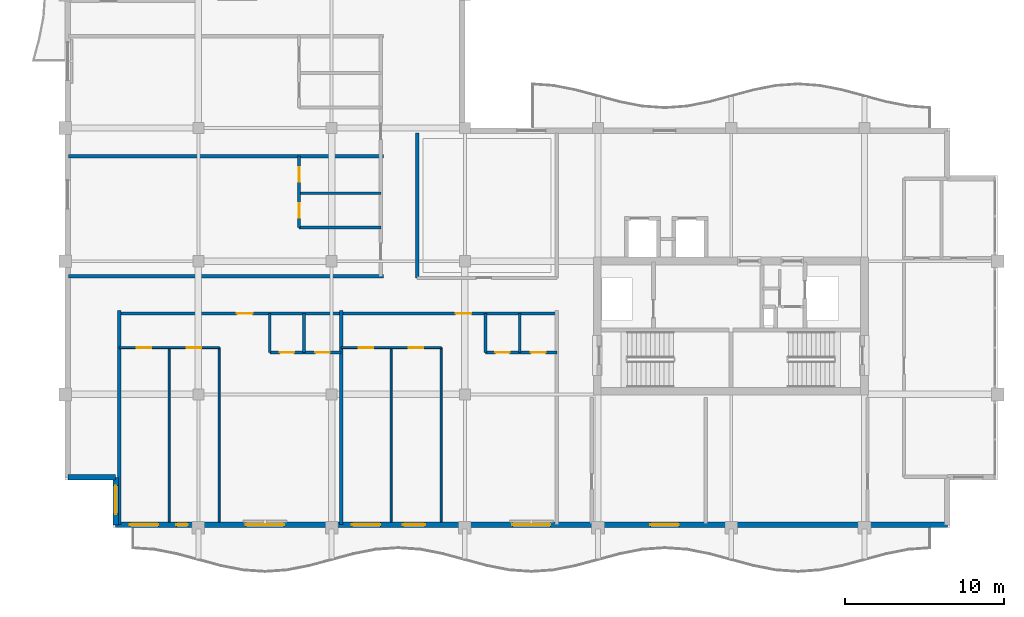
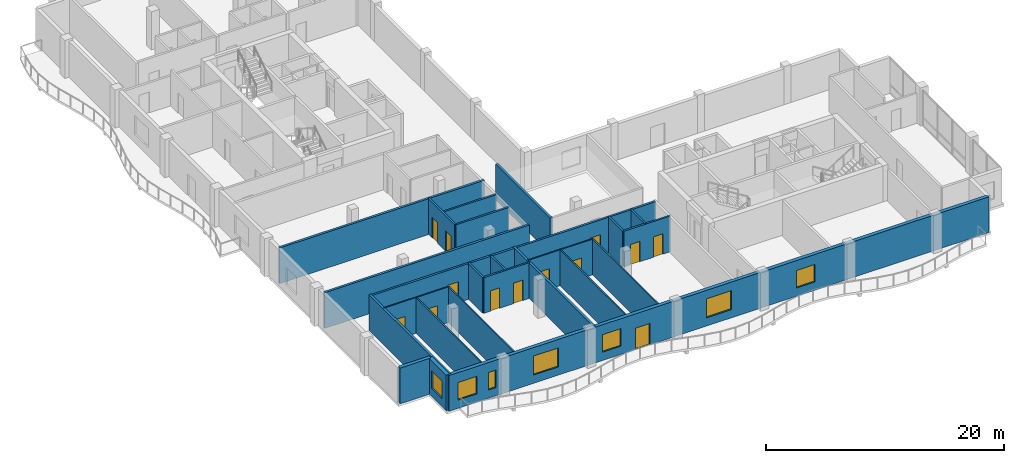
# One storey, part 6 of 15: 24 walls, 13 doors, 7 windows, 20 openings.
"""IFC4 building model written with IfcOpenShell, lengths in metres."""

from ifc_helpers import new_model, si_unit, direction, frame, frame_2d, origin, place, context, subcontext, project, spatial, rectangle, extrude, material, layer, layer_set, type_object, element, fill, save


model = new_model("IFC4")

# Units and contexts
model_context = context("Model", 3, precision=1e-05, world=origin(), true_north=direction((0.0, 1.0)))
body_context = subcontext(model_context, "Body", "Model", "MODEL_VIEW")
ifc_project = project(units=[si_unit("LENGTHUNIT", "METRE"), si_unit("AREAUNIT", "SQUARE_METRE"), si_unit("VOLUMEUNIT", "CUBIC_METRE"), si_unit("PLANEANGLEUNIT", "RADIAN"), si_unit("MASSUNIT", "GRAM", prefix="KILO")], contexts=[model_context])

# Site, building, storey
site_placement = place(None, origin())
site = spatial("IfcSite", under=ifc_project, at=site_placement, CompositionType="ELEMENT")
building_placement = place(site_placement, origin())
building = spatial("IfcBuilding", under=site, at=building_placement, Name="Koriwani Terraces Tower", CompositionType="ELEMENT")
storey_placement = place(building_placement, frame((0.0, 0.0, 324.199951171875)))
storey = spatial("IfcBuildingStorey", under=building, at=storey_placement, Name="L80", CompositionType="ELEMENT", Elevation=324.199951171875)

# Wall, openings, doors
ifc_material_1 = material(Name="Autoclaved Cellular Concrete Blockwork", Category="masonry")
ifc_layer_1 = layer(ifc_material_1, 0.199951171875, Name="Autoclaved Cellular Concrete Blockwork")
ifc_layer_set_1 = layer_set([ifc_layer_1], Name="Autoclaved Cellular Concrete Blockwork")
wall_type_1 = type_object("IfcWallType", Name="WALL_CORRIDOR_200", PredefinedType="PARTITIONING", material=ifc_layer_set_1)
wall_1_placement = place(storey_placement, frame((11.800048828125, 21.89990234375, 0.0), z_axis=(0.0, 0.0, 1.0), x_axis=(1.0, 0.0, 0.0)))
wall_1 = element("IfcWall", 1, at=wall_1_placement, inside=storey, type_object=wall_type_1, Name="L80 Interior Wall WRCOR-L80-SW-0", PredefinedType="PARTITIONING", context=body_context, shape_type="SweptSolid", body=[
    extrude(rectangle(XDim=27.599853515625, YDim=0.199951171875, at=frame_2d((13.7998046875, 0.0))), origin(), (0.0, 0.0, 1.0), 3.670166015625),
])
opening_1_placement = place(wall_1_placement, frame((7.419921875, 0.0, 0.0)))
opening_1 = element("IfcOpeningElement", 2, at=opening_1_placement, cuts=wall_1, Name="Opening D-05", PredefinedType="OPENING", context=body_context, shape_type="SweptSolid", body=[
    extrude(rectangle(XDim=1.0, YDim=2.14990234375, at=frame_2d((0.5, 1.074951171875))), frame((0.0, 0.10986328125, 0.0), z_axis=(0.0, -1.0, 0.0), x_axis=(1.0, 0.0, 0.0)), (0.0, 0.0, 1.0), 0.219970703125),
])
opening_2_placement = place(wall_1_placement, frame((21.219970703125, 0.0, 0.0)))
opening_2 = element("IfcOpeningElement", 3, at=opening_2_placement, cuts=wall_1, Name="Opening D-05", PredefinedType="OPENING", context=body_context, shape_type="SweptSolid", body=[
    extrude(rectangle(XDim=1.0, YDim=2.14990234375, at=frame_2d((0.5, 1.074951171875))), frame((0.0, 0.10986328125, 0.0), z_axis=(0.0, -1.0, 0.0), x_axis=(1.0, 0.0, 0.0)), (0.0, 0.0, 1.0), 0.219970703125),
])
ifc_material_2 = material(Name="Architectural Oak Fire Door", Category="wood")
door_type_1 = type_object("IfcDoorType", Name="DOOR_SUITE_ENTRY_1000X2150", OperationType="NOTDEFINED", PredefinedType="DOOR", material=ifc_material_2)
door_1_placement = place(opening_1_placement, origin())
door_1 = element("IfcDoor", 4, at=door_1_placement, inside=storey, type_object=door_type_1, Name="Apartment 80SW1 Entrance Door", OperationType="SINGLE_SWING_LEFT", OverallHeight=2.14990234375, OverallWidth=1.0, PredefinedType="DOOR", context=body_context, shape_type="SweptSolid", body=[
    extrude(rectangle(XDim=1.0, YDim=2.14990234375, at=frame_2d((0.5, 1.074951171875))), frame((0.0, 0.02490234375, 0.0), z_axis=(0.0, -1.0, 0.0), x_axis=(1.0, 0.0, 0.0)), (0.0, 0.0, 1.0), 0.050048828125),
])
fill(opening_1, door_1)
door_2_placement = place(opening_2_placement, origin())
door_2 = element("IfcDoor", 5, at=door_2_placement, inside=storey, type_object=door_type_1, Name="Apartment 80SW2 Entrance Door", OperationType="SINGLE_SWING_RIGHT", OverallHeight=2.14990234375, OverallWidth=1.0, PredefinedType="DOOR", context=body_context, shape_type="SweptSolid", body=[
    extrude(rectangle(XDim=1.0, YDim=2.14990234375, at=frame_2d((0.5, 1.074951171875))), frame((0.0, 0.02490234375, 0.0), z_axis=(0.0, -1.0, 0.0), x_axis=(1.0, 0.0, 0.0)), (0.0, 0.0, 1.0), 0.050048828125),
])
fill(opening_2, door_2)

# Walls
ifc_layer_2 = layer(ifc_material_1, 0.219970703125, Name="Autoclaved Cellular Concrete Blockwork")
ifc_layer_set_2 = layer_set([ifc_layer_2], Name="Autoclaved Cellular Concrete Blockwork")
wall_type_2 = type_object("IfcWallType", Name="WALL_DEMISING_220", PredefinedType="PARTITIONING", material=ifc_layer_set_2)
wall_2_placement = place(storey_placement, frame((30.60009765625, 24.14990234375, 0.0), z_axis=(0.0, 0.0, 1.0), x_axis=(0.0, 1.0, 0.0)))
element("IfcWall", 6, at=wall_2_placement, inside=storey, type_object=wall_type_2, Name="L80 Interior Wall WIC4SW-L80", PredefinedType="PARTITIONING", context=body_context, shape_type="SweptSolid", body=[
    extrude(rectangle(XDim=9.150146484375, YDim=0.219970703125, at=frame_2d((4.5751953125, 0.0))), origin(), (0.0, 0.0, 1.0), 3.670166015625),
])
for number, where, z_axis, x_axis, name in (
    (7, (11.800048828125, 8.60009765625, 0.0), (0.0, 0.0, 1.0), (0.0, 1.0, 0.0), "L80 Interior Wall WRDEM-L80-SW-0"),
    (8, (25.800048828125, 8.60009765625, 0.0), (0.0, 0.0, 1.0), (0.0, 1.0, 0.0), "L80 Interior Wall WRDEM-L80-SW-1"),
):
    element("IfcWall", number, at=place(storey_placement, frame(where, z_axis=z_axis, x_axis=x_axis)), inside=storey, type_object=wall_type_2, Name=name, PredefinedType="PARTITIONING", context=body_context, shape_type="SweptSolid", body=[
        extrude(rectangle(XDim=13.47998046875, YDim=0.219970703125, at=frame_2d((6.739990234375, 0.0))), origin(), (0.0, 0.0, 1.0), 3.670166015625),
    ])
for number, where, z_axis, x_axis, name in (
    (9, (8.60009765625, 24.25, 0.0), (0.0, 0.0, 1.0), (1.0, 0.0, 0.0), "L80 Interior Wall WRDEM-L80-NE-0"),
    (10, (8.60009765625, 31.824951171875, 0.0), (0.0, 0.0, 1.0), (1.0, 0.0, 0.0), "L80 Interior Wall WRDEM-L80-NE-1"),
):
    element("IfcWall", number, at=place(storey_placement, frame(where, z_axis=z_axis, x_axis=x_axis)), inside=storey, type_object=wall_type_2, Name=name, PredefinedType="PARTITIONING", context=body_context, shape_type="SweptSolid", body=[
        extrude(rectangle(XDim=19.8798828125, YDim=0.219970703125, at=frame_2d((9.93994140625, 0.0))), origin(), (0.0, 0.0, 1.0), 3.670166015625),
    ])

# Wall, opening, window
ifc_material_3 = material(Name="Concrete C50/60", Category="concrete")
ifc_layer_3 = layer(ifc_material_3, 0.35009765625, Name="Concrete C50/60")
ifc_layer_set_3 = layer_set([ifc_layer_3], Name="Concrete C50/60")
wall_type_3 = type_object("IfcWallType", Name="WALL_EXT_BRUTALIST_350", PredefinedType="STANDARD", material=ifc_layer_set_3)
wall_3_placement = place(storey_placement, frame((11.574951171875, 8.574951171875, 0.0), z_axis=(0.0, 0.0, 1.0), x_axis=(0.0, 1.0, 0.0)))
wall_3 = element("IfcWall", 11, at=wall_3_placement, inside=storey, type_object=wall_type_3, Name="L80 Fair-Faced Brutalist Exterior Wall (N0)", PredefinedType="STANDARD", context=body_context, shape_type="SweptSolid", body=[
    extrude(rectangle(XDim=3.0, YDim=0.35009765625, at=frame_2d((1.5, 0.0))), origin(), (0.0, 0.0, 1.0), 3.670166015625),
])
opening_3_placement = place(wall_3_placement, frame((0.677490234375, 0.0, 0.85009765625)))
opening_3 = element("IfcOpeningElement", 12, at=opening_3_placement, cuts=wall_3, Name="Opening W-04", PredefinedType="OPENING", context=body_context, shape_type="SweptSolid", body=[
    extrude(rectangle(XDim=1.800048828125, YDim=1.800048828125, at=frame_2d((0.89990234375, 0.89990234375))), frame((0.0, 0.18505859375, 0.0), z_axis=(0.0, -1.0, 0.0), x_axis=(1.0, 0.0, 0.0)), (0.0, 0.0, 1.0), 0.3701171875),
])
ifc_material_4 = material(Name="Tempered Laminated Low-E Glass", Category="glass")
window_type_1 = type_object("IfcWindowType", Name="WIN_RES_BED_1800X1800", PartitioningType="DOUBLE_PANEL_VERTICAL", PredefinedType="WINDOW", material=ifc_material_4)
window_1_placement = place(opening_3_placement, origin())
window_1 = element("IfcWindow", 13, at=window_1_placement, inside=storey, type_object=window_type_1, Name="L80 Exterior Window (N0-R33)", OverallHeight=1.800048828125, OverallWidth=1.800048828125, PartitioningType="SINGLE_PANEL", PredefinedType="WINDOW", context=body_context, shape_type="SweptSolid", body=[
    extrude(rectangle(XDim=1.800048828125, YDim=1.800048828125, at=frame_2d((0.89990234375, 0.89990234375))), frame((0.0, 0.030029296875, 0.0), z_axis=(0.0, -1.0, 0.0), x_axis=(1.0, 0.0, 0.0)), (0.0, 0.0, 1.0), 0.06005859375),
])
fill(opening_3, window_1)

# Wall
wall_4_placement = place(storey_placement, frame((11.574951171875, 11.574951171875, 0.0), z_axis=(0.0, 0.0, 1.0), x_axis=(-1.0, 0.0, 0.0)))
element("IfcWall", 14, at=wall_4_placement, inside=storey, type_object=wall_type_3, Name="L80 Fair-Faced Brutalist Exterior Wall (N1)", PredefinedType="STANDARD", context=body_context, shape_type="SweptSolid", body=[
    extrude(rectangle(XDim=3.0, YDim=0.35009765625, at=frame_2d((1.5, 0.0))), origin(), (0.0, 0.0, 1.0), 3.670166015625),
])

# Wall, openings, door, windows
wall_5_placement = place(storey_placement, frame((64.02490234375, 8.574951171875, 0.0), z_axis=(0.0, 0.0, 1.0), x_axis=(-1.0, 0.0, 0.0)))
wall_5 = element("IfcWall", 15, at=wall_5_placement, inside=storey, type_object=wall_type_3, Name="L80 Fair-Faced Brutalist Exterior Wall (S)", PredefinedType="STANDARD", context=body_context, shape_type="SweptSolid", body=[
    extrude(rectangle(XDim=52.449951171875, YDim=0.35009765625, at=frame_2d((26.22509765625, 0.0))), origin(), (0.0, 0.0, 1.0), 3.670166015625),
])
opening_4_placement = place(wall_5_placement, frame((32.925048828125, 0.0, 0.0)))
opening_4 = element("IfcOpeningElement", 16, at=opening_4_placement, cuts=wall_5, Name="Opening D-09", PredefinedType="OPENING", context=body_context, shape_type="SweptSolid", body=[
    extrude(rectangle(XDim=1.39990234375, YDim=2.199951171875, at=frame_2d((0.699951171875, 1.10009765625))), frame((0.0, 0.18505859375, 0.0), z_axis=(0.0, -1.0, 0.0), x_axis=(1.0, 0.0, 0.0)), (0.0, 0.0, 1.0), 0.3701171875),
])
opening_5_placement = place(wall_5_placement, frame((41.824951171875, 0.0, 0.85009765625)))
opening_5 = element("IfcOpeningElement", 17, at=opening_5_placement, cuts=wall_5, Name="Opening W-03", PredefinedType="OPENING", context=body_context, shape_type="SweptSolid", body=[
    extrude(rectangle(XDim=2.39990234375, YDim=1.949951171875, at=frame_2d((1.199951171875, 0.97509765625))), frame((0.0, 0.18505859375, 0.0), z_axis=(0.0, -1.0, 0.0), x_axis=(1.0, 0.0, 0.0)), (0.0, 0.0, 1.0), 0.3701171875),
])
opening_6_placement = place(wall_5_placement, frame((25.02490234375, 0.0, 0.85009765625)))
opening_6 = element("IfcOpeningElement", 18, at=opening_6_placement, cuts=wall_5, Name="Opening W-03", PredefinedType="OPENING", context=body_context, shape_type="SweptSolid", body=[
    extrude(rectangle(XDim=2.39990234375, YDim=1.949951171875, at=frame_2d((1.199951171875, 0.97509765625))), frame((0.0, 0.18505859375, 0.0), z_axis=(0.0, -1.0, 0.0), x_axis=(1.0, 0.0, 0.0)), (0.0, 0.0, 1.0), 0.3701171875),
])
opening_7_placement = place(wall_5_placement, frame((16.925048828125, 0.0, 0.85009765625)))
opening_7 = element("IfcOpeningElement", 19, at=opening_7_placement, cuts=wall_5, Name="Opening W-04", PredefinedType="OPENING", context=body_context, shape_type="SweptSolid", body=[
    extrude(rectangle(XDim=1.800048828125, YDim=1.800048828125, at=frame_2d((0.89990234375, 0.89990234375))), frame((0.0, 0.18505859375, 0.0), z_axis=(0.0, -1.0, 0.0), x_axis=(1.0, 0.0, 0.0)), (0.0, 0.0, 1.0), 0.3701171875),
])
opening_8_placement = place(wall_5_placement, frame((49.75, 0.0, 0.85009765625)))
opening_8 = element("IfcOpeningElement", 20, at=opening_8_placement, cuts=wall_5, Name="Opening W-04", PredefinedType="OPENING", context=body_context, shape_type="SweptSolid", body=[
    extrude(rectangle(XDim=1.800048828125, YDim=1.800048828125, at=frame_2d((0.89990234375, 0.89990234375))), frame((0.0, 0.18505859375, 0.0), z_axis=(0.0, -1.0, 0.0), x_axis=(1.0, 0.0, 0.0)), (0.0, 0.0, 1.0), 0.3701171875),
])
opening_9_placement = place(wall_5_placement, frame((47.889892578125, 0.0, 0.85009765625)))
opening_9 = element("IfcOpeningElement", 21, at=opening_9_placement, cuts=wall_5, Name="Opening W-08", PredefinedType="OPENING", context=body_context, shape_type="SweptSolid", body=[
    extrude(rectangle(XDim=0.719970703125, YDim=1.800048828125, at=frame_2d((0.35986328125, 0.89990234375))), frame((0.0, 0.18505859375, 0.0), z_axis=(0.0, -1.0, 0.0), x_axis=(1.0, 0.0, 0.0)), (0.0, 0.0, 1.0), 0.3701171875),
])
opening_10_placement = place(wall_5_placement, frame((35.75, 0.0, 0.85009765625)))
opening_10 = element("IfcOpeningElement", 22, at=opening_10_placement, cuts=wall_5, Name="Opening W-04", PredefinedType="OPENING", context=body_context, shape_type="SweptSolid", body=[
    extrude(rectangle(XDim=1.800048828125, YDim=1.800048828125, at=frame_2d((0.89990234375, 0.89990234375))), frame((0.0, 0.18505859375, 0.0), z_axis=(0.0, -1.0, 0.0), x_axis=(1.0, 0.0, 0.0)), (0.0, 0.0, 1.0), 0.3701171875),
])
ifc_material_5 = material(Name="Anodised Bronze Aluminium", Category="aluminium")
door_type_2 = type_object("IfcDoorType", Name="DOOR_BALCONY_GLAZED_1400X2200", OperationType="NOTDEFINED", PredefinedType="DOOR", material=ifc_material_5)
door_3_placement = place(opening_4_placement, origin())
door_3 = element("IfcDoor", 23, at=door_3_placement, inside=storey, type_object=door_type_2, Name="L80 South Balcony Glazed Door", OperationType="SINGLE_SWING_LEFT", OverallHeight=2.199951171875, OverallWidth=1.39990234375, PredefinedType="DOOR", context=body_context, shape_type="SweptSolid", body=[
    extrude(rectangle(XDim=1.39990234375, YDim=2.199951171875, at=frame_2d((0.699951171875, 1.10009765625))), frame((0.0, 0.02490234375, 0.0), z_axis=(0.0, -1.0, 0.0), x_axis=(1.0, 0.0, 0.0)), (0.0, 0.0, 1.0), 0.050048828125),
])
fill(opening_4, door_3)
window_2_placement = place(opening_7_placement, origin())
window_2 = element("IfcWindow", 24, at=window_2_placement, inside=storey, type_object=window_type_1, Name="L80 Exterior Window (S-12)", OverallHeight=1.800048828125, OverallWidth=1.800048828125, PartitioningType="SINGLE_PANEL", PredefinedType="WINDOW", context=body_context, shape_type="SweptSolid", body=[
    extrude(rectangle(XDim=1.800048828125, YDim=1.800048828125, at=frame_2d((0.89990234375, 0.89990234375))), frame((0.0, 0.030029296875, 0.0), z_axis=(0.0, -1.0, 0.0), x_axis=(1.0, 0.0, 0.0)), (0.0, 0.0, 1.0), 0.06005859375),
])
fill(opening_7, window_2)
window_3_placement = place(opening_8_placement, origin())
window_3 = element("IfcWindow", 25, at=window_3_placement, inside=storey, type_object=window_type_1, Name="L80 Exterior Window (S-R33)", OverallHeight=1.800048828125, OverallWidth=1.800048828125, PartitioningType="SINGLE_PANEL", PredefinedType="WINDOW", context=body_context, shape_type="SweptSolid", body=[
    extrude(rectangle(XDim=1.800048828125, YDim=1.800048828125, at=frame_2d((0.89990234375, 0.89990234375))), frame((0.0, 0.030029296875, 0.0), z_axis=(0.0, -1.0, 0.0), x_axis=(1.0, 0.0, 0.0)), (0.0, 0.0, 1.0), 0.06005859375),
])
fill(opening_8, window_3)
window_4_placement = place(opening_10_placement, origin())
window_4 = element("IfcWindow", 26, at=window_4_placement, inside=storey, type_object=window_type_1, Name="L80 Exterior Window (S-R38)", OverallHeight=1.800048828125, OverallWidth=1.800048828125, PartitioningType="SINGLE_PANEL", PredefinedType="WINDOW", context=body_context, shape_type="SweptSolid", body=[
    extrude(rectangle(XDim=1.800048828125, YDim=1.800048828125, at=frame_2d((0.89990234375, 0.89990234375))), frame((0.0, 0.030029296875, 0.0), z_axis=(0.0, -1.0, 0.0), x_axis=(1.0, 0.0, 0.0)), (0.0, 0.0, 1.0), 0.06005859375),
])
fill(opening_10, window_4)
window_type_2 = type_object("IfcWindowType", Name="WIN_RES_CASEMENT_1200X1800", PartitioningType="SINGLE_PANEL", PredefinedType="WINDOW", material=ifc_material_4)
window_5_placement = place(opening_9_placement, origin())
window_5 = element("IfcWindow", 27, at=window_5_placement, inside=storey, type_object=window_type_2, Name="L80 Exterior Window (S-R34)", OverallHeight=1.800048828125, OverallWidth=0.719970703125, PartitioningType="SINGLE_PANEL", PredefinedType="WINDOW", context=body_context, shape_type="SweptSolid", body=[
    extrude(rectangle(XDim=0.719970703125, YDim=1.800048828125, at=frame_2d((0.35986328125, 0.89990234375))), frame((0.0, 0.030029296875, 0.0), z_axis=(0.0, -1.0, 0.0), x_axis=(1.0, 0.0, 0.0)), (0.0, 0.0, 1.0), 0.06005859375),
])
fill(opening_9, window_5)
window_type_3 = type_object("IfcWindowType", Name="WIN_RES_LIVING_2400X1950", PartitioningType="DOUBLE_PANEL_VERTICAL", PredefinedType="WINDOW", material=ifc_material_4)
window_6_placement = place(opening_5_placement, origin())
window_6 = element("IfcWindow", 28, at=window_6_placement, inside=storey, type_object=window_type_3, Name="L80 Exterior Window (S-3)", OverallHeight=1.949951171875, OverallWidth=2.39990234375, PartitioningType="SINGLE_PANEL", PredefinedType="WINDOW", context=body_context, shape_type="SweptSolid", body=[
    extrude(rectangle(XDim=2.39990234375, YDim=1.949951171875, at=frame_2d((1.199951171875, 0.97509765625))), frame((0.0, 0.030029296875, 0.0), z_axis=(0.0, -1.0, 0.0), x_axis=(1.0, 0.0, 0.0)), (0.0, 0.0, 1.0), 0.06005859375),
])
fill(opening_5, window_6)
window_7_placement = place(opening_6_placement, origin())
window_7 = element("IfcWindow", 29, at=window_7_placement, inside=storey, type_object=window_type_3, Name="L80 Exterior Window (S-9)", OverallHeight=1.949951171875, OverallWidth=2.39990234375, PartitioningType="SINGLE_PANEL", PredefinedType="WINDOW", context=body_context, shape_type="SweptSolid", body=[
    extrude(rectangle(XDim=2.39990234375, YDim=1.949951171875, at=frame_2d((1.199951171875, 0.97509765625))), frame((0.0, 0.030029296875, 0.0), z_axis=(0.0, -1.0, 0.0), x_axis=(1.0, 0.0, 0.0)), (0.0, 0.0, 1.0), 0.06005859375),
])
fill(opening_6, window_7)

# Walls
ifc_material_6 = material(Name="Fire-Rated Acoustic Gypsum Partition", Category="masonry")
ifc_layer_4 = layer(ifc_material_6, 0.125, Name="Fire-Rated Acoustic Gypsum Partition")
ifc_layer_set_4 = layer_set([ifc_layer_4], Name="Fire-Rated Acoustic Gypsum Partition")
wall_type_4 = type_object("IfcWallType", Name="WALL_INT_125", PredefinedType="PARTITIONING", material=ifc_layer_set_4)
for number, where, z_axis, x_axis, name in (
    (30, (14.949951171875, 8.75, 0.0), (0.0, 0.0, 1.0), (0.0, 1.0, 0.0), "L80 Interior Wall WRB12-L80-SW-0"),
    (31, (18.10009765625, 8.75, 0.0), (0.0, 0.0, 1.0), (0.0, 1.0, 0.0), "L80 Interior Wall WRB2L-L80-SW-0"),
):
    element("IfcWall", number, at=place(storey_placement, frame(where, z_axis=z_axis, x_axis=x_axis)), inside=storey, type_object=wall_type_4, Name=name, PredefinedType="PARTITIONING", context=body_context, shape_type="SweptSolid", body=[
        extrude(rectangle(XDim=11.0, YDim=0.125, at=frame_2d((5.5, 0.0))), origin(), (0.0, 0.0, 1.0), 3.670166015625),
    ])

# Wall, openings, doors
wall_6_placement = place(storey_placement, frame((11.800048828125, 19.75, 0.0), z_axis=(0.0, 0.0, 1.0), x_axis=(1.0, 0.0, 0.0)))
wall_6 = element("IfcWall", 32, at=wall_6_placement, inside=storey, type_object=wall_type_4, Name="L80 Interior Wall WRBH-L80-SW-0", PredefinedType="PARTITIONING", context=body_context, shape_type="SweptSolid", body=[
    extrude(rectangle(XDim=6.300048828125, YDim=0.125, at=frame_2d((3.14990234375, 0.0))), origin(), (0.0, 0.0, 1.0), 3.670166015625),
])
opening_11_placement = place(wall_6_placement, frame((1.114990234375, 0.0, 0.0)))
opening_11 = element("IfcOpeningElement", 33, at=opening_11_placement, cuts=wall_6, Name="Opening D-06", PredefinedType="OPENING", context=body_context, shape_type="SweptSolid", body=[
    extrude(rectangle(XDim=0.919921875, YDim=2.10009765625, at=frame_2d((0.4599609375, 1.050048828125))), frame((0.0, 0.072509765625, 0.0), z_axis=(0.0, -1.0, 0.0), x_axis=(1.0, 0.0, 0.0)), (0.0, 0.0, 1.0), 0.14501953125),
])
opening_12_placement = place(wall_6_placement, frame((4.264892578125, 0.0, 0.0)))
opening_12 = element("IfcOpeningElement", 34, at=opening_12_placement, cuts=wall_6, Name="Opening D-06", PredefinedType="OPENING", context=body_context, shape_type="SweptSolid", body=[
    extrude(rectangle(XDim=0.919921875, YDim=2.10009765625, at=frame_2d((0.4599609375, 1.050048828125))), frame((0.0, 0.072509765625, 0.0), z_axis=(0.0, -1.0, 0.0), x_axis=(1.0, 0.0, 0.0)), (0.0, 0.0, 1.0), 0.14501953125),
])
door_type_3 = type_object("IfcDoorType", Name="DOOR_ROOM_INT_920X2100", OperationType="NOTDEFINED", PredefinedType="DOOR", material=ifc_material_2)
door_4_placement = place(opening_11_placement, origin())
door_4 = element("IfcDoor", 35, at=door_4_placement, inside=storey, type_object=door_type_3, Name="Apartment 80SW1 Master Bedroom Door", OperationType="SINGLE_SWING_RIGHT", OverallHeight=2.10009765625, OverallWidth=0.919921875, PredefinedType="DOOR", context=body_context, shape_type="SweptSolid", body=[
    extrude(rectangle(XDim=0.919921875, YDim=2.10009765625, at=frame_2d((0.4599609375, 1.050048828125))), frame((0.0, 0.02490234375, 0.0), z_axis=(0.0, -1.0, 0.0), x_axis=(1.0, 0.0, 0.0)), (0.0, 0.0, 1.0), 0.050048828125),
])
fill(opening_11, door_4)
door_5_placement = place(opening_12_placement, origin())
door_5 = element("IfcDoor", 36, at=door_5_placement, inside=storey, type_object=door_type_3, Name="Apartment 80SW1 Bedroom 2 Door", OperationType="SINGLE_SWING_LEFT", OverallHeight=2.10009765625, OverallWidth=0.919921875, PredefinedType="DOOR", context=body_context, shape_type="SweptSolid", body=[
    extrude(rectangle(XDim=0.919921875, YDim=2.10009765625, at=frame_2d((0.4599609375, 1.050048828125))), frame((0.0, 0.02490234375, 0.0), z_axis=(0.0, -1.0, 0.0), x_axis=(1.0, 0.0, 0.0)), (0.0, 0.0, 1.0), 0.050048828125),
])
fill(opening_12, door_5)

# Walls
for number, where, z_axis, x_axis, name in (
    (37, (28.949951171875, 8.75, 0.0), (0.0, 0.0, 1.0), (0.0, 1.0, 0.0), "L80 Interior Wall WRB12-L80-SW-1"),
    (38, (32.10009765625, 8.75, 0.0), (0.0, 0.0, 1.0), (0.0, 1.0, 0.0), "L80 Interior Wall WRB2L-L80-SW-1"),
):
    element("IfcWall", number, at=place(storey_placement, frame(where, z_axis=z_axis, x_axis=x_axis)), inside=storey, type_object=wall_type_4, Name=name, PredefinedType="PARTITIONING", context=body_context, shape_type="SweptSolid", body=[
        extrude(rectangle(XDim=11.0, YDim=0.125, at=frame_2d((5.5, 0.0))), origin(), (0.0, 0.0, 1.0), 3.670166015625),
    ])

# Wall, openings, doors
wall_7_placement = place(storey_placement, frame((25.800048828125, 19.75, 0.0), z_axis=(0.0, 0.0, 1.0), x_axis=(1.0, 0.0, 0.0)))
wall_7 = element("IfcWall", 39, at=wall_7_placement, inside=storey, type_object=wall_type_4, Name="L80 Interior Wall WRBH-L80-SW-1", PredefinedType="PARTITIONING", context=body_context, shape_type="SweptSolid", body=[
    extrude(rectangle(XDim=6.300048828125, YDim=0.125, at=frame_2d((3.14990234375, 0.0))), origin(), (0.0, 0.0, 1.0), 3.670166015625),
])
opening_13_placement = place(wall_7_placement, frame((1.114990234375, 0.0, 0.0)))
opening_13 = element("IfcOpeningElement", 40, at=opening_13_placement, cuts=wall_7, Name="Opening D-06", PredefinedType="OPENING", context=body_context, shape_type="SweptSolid", body=[
    extrude(rectangle(XDim=0.919921875, YDim=2.10009765625, at=frame_2d((0.4599609375, 1.050048828125))), frame((0.0, 0.072509765625, 0.0), z_axis=(0.0, -1.0, 0.0), x_axis=(1.0, 0.0, 0.0)), (0.0, 0.0, 1.0), 0.14501953125),
])
opening_14_placement = place(wall_7_placement, frame((4.264892578125, 0.0, 0.0)))
opening_14 = element("IfcOpeningElement", 41, at=opening_14_placement, cuts=wall_7, Name="Opening D-06", PredefinedType="OPENING", context=body_context, shape_type="SweptSolid", body=[
    extrude(rectangle(XDim=0.919921875, YDim=2.10009765625, at=frame_2d((0.4599609375, 1.050048828125))), frame((0.0, 0.072509765625, 0.0), z_axis=(0.0, -1.0, 0.0), x_axis=(1.0, 0.0, 0.0)), (0.0, 0.0, 1.0), 0.14501953125),
])
door_6_placement = place(opening_13_placement, origin())
door_6 = element("IfcDoor", 42, at=door_6_placement, inside=storey, type_object=door_type_3, Name="Apartment 80SW2 Master Bedroom Door", OperationType="SINGLE_SWING_LEFT", OverallHeight=2.10009765625, OverallWidth=0.919921875, PredefinedType="DOOR", context=body_context, shape_type="SweptSolid", body=[
    extrude(rectangle(XDim=0.919921875, YDim=2.10009765625, at=frame_2d((0.4599609375, 1.050048828125))), frame((0.0, 0.02490234375, 0.0), z_axis=(0.0, -1.0, 0.0), x_axis=(1.0, 0.0, 0.0)), (0.0, 0.0, 1.0), 0.050048828125),
])
fill(opening_13, door_6)
door_7_placement = place(opening_14_placement, origin())
door_7 = element("IfcDoor", 43, at=door_7_placement, inside=storey, type_object=door_type_3, Name="Apartment 80SW2 Bedroom 2 Door", OperationType="SINGLE_SWING_RIGHT", OverallHeight=2.10009765625, OverallWidth=0.919921875, PredefinedType="DOOR", context=body_context, shape_type="SweptSolid", body=[
    extrude(rectangle(XDim=0.919921875, YDim=2.10009765625, at=frame_2d((0.4599609375, 1.050048828125))), frame((0.0, 0.02490234375, 0.0), z_axis=(0.0, -1.0, 0.0), x_axis=(1.0, 0.0, 0.0)), (0.0, 0.0, 1.0), 0.050048828125),
])
fill(opening_14, door_7)

ifc_layer_5 = layer(ifc_material_6, 0.179931640625, Name="Fire-Rated Acoustic Gypsum Partition")
ifc_layer_set_5 = layer_set([ifc_layer_5], Name="Fire-Rated Acoustic Gypsum Partition")
wall_type_5 = type_object("IfcWallType", Name="WALL_PLUMBING_180", PredefinedType="PLUMBINGWALL", material=ifc_layer_set_5)
wall_8_placement = place(storey_placement, frame((21.300048828125, 19.449951171875, 0.0), z_axis=(0.0, 0.0, 1.0), x_axis=(1.0, 0.0, 0.0)))
wall_8 = element("IfcWall", 44, at=wall_8_placement, inside=storey, type_object=wall_type_5, Name="L80 Interior Wall WRSVC-L80-SW-0", PredefinedType="PLUMBINGWALL", context=body_context, shape_type="SweptSolid", body=[
    extrude(rectangle(XDim=4.5, YDim=0.179931640625, at=frame_2d((2.25, 0.0))), origin(), (0.0, 0.0, 1.0), 3.670166015625),
])
opening_15_placement = place(wall_8_placement, frame((0.6298828125, 0.0, 0.0)))
opening_15 = element("IfcOpeningElement", 45, at=opening_15_placement, cuts=wall_8, Name="Opening D-07", PredefinedType="OPENING", context=body_context, shape_type="SweptSolid", body=[
    extrude(rectangle(XDim=0.89990234375, YDim=2.10009765625, at=frame_2d((0.449951171875, 1.050048828125))), frame((0.0, 0.10009765625, 0.0), z_axis=(0.0, -1.0, 0.0), x_axis=(1.0, 0.0, 0.0)), (0.0, 0.0, 1.0), 0.199951171875),
])
opening_16_placement = place(wall_8_placement, frame((2.8701171875, 0.0, 0.0)))
opening_16 = element("IfcOpeningElement", 46, at=opening_16_placement, cuts=wall_8, Name="Opening D-06", PredefinedType="OPENING", context=body_context, shape_type="SweptSolid", body=[
    extrude(rectangle(XDim=0.919921875, YDim=2.10009765625, at=frame_2d((0.4599609375, 1.050048828125))), frame((0.0, 0.10009765625, 0.0), z_axis=(0.0, -1.0, 0.0), x_axis=(1.0, 0.0, 0.0)), (0.0, 0.0, 1.0), 0.199951171875),
])
door_type_4 = type_object("IfcDoorType", Name="DOOR_BATH_INT_900X2100", OperationType="NOTDEFINED", PredefinedType="DOOR", material=ifc_material_2)
door_8_placement = place(opening_15_placement, origin())
door_8 = element("IfcDoor", 47, at=door_8_placement, inside=storey, type_object=door_type_4, Name="Apartment 80SW1 Bathroom Door", OperationType="SINGLE_SWING_RIGHT", OverallHeight=2.10009765625, OverallWidth=0.89990234375, PredefinedType="DOOR", context=body_context, shape_type="SweptSolid", body=[
    extrude(rectangle(XDim=0.89990234375, YDim=2.10009765625, at=frame_2d((0.449951171875, 1.050048828125))), frame((0.0, 0.02490234375, 0.0), z_axis=(0.0, -1.0, 0.0), x_axis=(1.0, 0.0, 0.0)), (0.0, 0.0, 1.0), 0.050048828125),
])
fill(opening_15, door_8)
door_9_placement = place(opening_16_placement, origin())
door_9 = element("IfcDoor", 48, at=door_9_placement, inside=storey, type_object=door_type_3, Name="Apartment 80SW1 Kitchen Door", OperationType="SINGLE_SWING_LEFT", OverallHeight=2.10009765625, OverallWidth=0.919921875, PredefinedType="DOOR", context=body_context, shape_type="SweptSolid", body=[
    extrude(rectangle(XDim=0.919921875, YDim=2.10009765625, at=frame_2d((0.4599609375, 1.050048828125))), frame((0.0, 0.02490234375, 0.0), z_axis=(0.0, -1.0, 0.0), x_axis=(1.0, 0.0, 0.0)), (0.0, 0.0, 1.0), 0.050048828125),
])
fill(opening_16, door_9)

# Walls
for number, where, z_axis, x_axis, name in (
    (49, (21.300048828125, 19.449951171875, 0.0), (0.0, 0.0, 1.0), (0.0, 1.0, 0.0), "L80 Interior Wall WRSVCS-L80-SW-0"),
    (50, (23.4599609375, 19.449951171875, 0.0), (0.0, 0.0, 1.0), (0.0, 1.0, 0.0), "L80 Interior Wall WRSVCM-L80-SW-0"),
):
    element("IfcWall", number, at=place(storey_placement, frame(where, z_axis=z_axis, x_axis=x_axis)), inside=storey, type_object=wall_type_5, Name=name, PredefinedType="PLUMBINGWALL", context=body_context, shape_type="SweptSolid", body=[
        extrude(rectangle(XDim=2.449951171875, YDim=0.179931640625, at=frame_2d((1.22509765625, 0.0))), origin(), (0.0, 0.0, 1.0), 3.670166015625),
    ])

# Wall, openings, doors
wall_9_placement = place(storey_placement, frame((34.89990234375, 19.449951171875, 0.0), z_axis=(0.0, 0.0, 1.0), x_axis=(1.0, 0.0, 0.0)))
wall_9 = element("IfcWall", 51, at=wall_9_placement, inside=storey, type_object=wall_type_5, Name="L80 Interior Wall WRSVC-L80-SW-1", PredefinedType="PLUMBINGWALL", context=body_context, shape_type="SweptSolid", body=[
    extrude(rectangle(XDim=4.5, YDim=0.179931640625, at=frame_2d((2.25, 0.0))), origin(), (0.0, 0.0, 1.0), 3.670166015625),
])
opening_17_placement = place(wall_9_placement, frame((0.6298828125, 0.0, 0.0)))
opening_17 = element("IfcOpeningElement", 52, at=opening_17_placement, cuts=wall_9, Name="Opening D-07", PredefinedType="OPENING", context=body_context, shape_type="SweptSolid", body=[
    extrude(rectangle(XDim=0.89990234375, YDim=2.10009765625, at=frame_2d((0.449951171875, 1.050048828125))), frame((0.0, 0.10009765625, 0.0), z_axis=(0.0, -1.0, 0.0), x_axis=(1.0, 0.0, 0.0)), (0.0, 0.0, 1.0), 0.199951171875),
])
opening_18_placement = place(wall_9_placement, frame((2.8701171875, 0.0, 0.0)))
opening_18 = element("IfcOpeningElement", 53, at=opening_18_placement, cuts=wall_9, Name="Opening D-06", PredefinedType="OPENING", context=body_context, shape_type="SweptSolid", body=[
    extrude(rectangle(XDim=0.919921875, YDim=2.10009765625, at=frame_2d((0.4599609375, 1.050048828125))), frame((0.0, 0.10009765625, 0.0), z_axis=(0.0, -1.0, 0.0), x_axis=(1.0, 0.0, 0.0)), (0.0, 0.0, 1.0), 0.199951171875),
])
door_10_placement = place(opening_17_placement, origin())
door_10 = element("IfcDoor", 54, at=door_10_placement, inside=storey, type_object=door_type_4, Name="Apartment 80SW2 Bathroom Door", OperationType="SINGLE_SWING_LEFT", OverallHeight=2.10009765625, OverallWidth=0.89990234375, PredefinedType="DOOR", context=body_context, shape_type="SweptSolid", body=[
    extrude(rectangle(XDim=0.89990234375, YDim=2.10009765625, at=frame_2d((0.449951171875, 1.050048828125))), frame((0.0, 0.02490234375, 0.0), z_axis=(0.0, -1.0, 0.0), x_axis=(1.0, 0.0, 0.0)), (0.0, 0.0, 1.0), 0.050048828125),
])
fill(opening_17, door_10)
door_11_placement = place(opening_18_placement, origin())
door_11 = element("IfcDoor", 55, at=door_11_placement, inside=storey, type_object=door_type_3, Name="Apartment 80SW2 Kitchen Door", OperationType="SINGLE_SWING_RIGHT", OverallHeight=2.10009765625, OverallWidth=0.919921875, PredefinedType="DOOR", context=body_context, shape_type="SweptSolid", body=[
    extrude(rectangle(XDim=0.919921875, YDim=2.10009765625, at=frame_2d((0.4599609375, 1.050048828125))), frame((0.0, 0.02490234375, 0.0), z_axis=(0.0, -1.0, 0.0), x_axis=(1.0, 0.0, 0.0)), (0.0, 0.0, 1.0), 0.050048828125),
])
fill(opening_18, door_11)

# Walls
for number, where, z_axis, x_axis, name in (
    (56, (34.89990234375, 19.449951171875, 0.0), (0.0, 0.0, 1.0), (0.0, 1.0, 0.0), "L80 Interior Wall WRSVCS-L80-SW-1"),
    (57, (37.06005859375, 19.449951171875, 0.0), (0.0, 0.0, 1.0), (0.0, 1.0, 0.0), "L80 Interior Wall WRSVCM-L80-SW-1"),
):
    element("IfcWall", number, at=place(storey_placement, frame(where, z_axis=z_axis, x_axis=x_axis)), inside=storey, type_object=wall_type_5, Name=name, PredefinedType="PLUMBINGWALL", context=body_context, shape_type="SweptSolid", body=[
        extrude(rectangle(XDim=2.449951171875, YDim=0.179931640625, at=frame_2d((1.22509765625, 0.0))), origin(), (0.0, 0.0, 1.0), 3.670166015625),
    ])

# Wall, openings, doors
wall_10_placement = place(storey_placement, frame((23.14990234375, 27.324951171875, 0.0), z_axis=(0.0, 0.0, 1.0), x_axis=(0.0, 1.0, 0.0)))
wall_10 = element("IfcWall", 58, at=wall_10_placement, inside=storey, type_object=wall_type_5, Name="L80 Interior Wall WRSVC-L80-NE-0", PredefinedType="PLUMBINGWALL", context=body_context, shape_type="SweptSolid", body=[
    extrude(rectangle(XDim=4.5, YDim=0.179931640625, at=frame_2d((2.25, 0.0))), origin(), (0.0, 0.0, 1.0), 3.670166015625),
])
opening_19_placement = place(wall_10_placement, frame((0.6298828125, 0.0, 0.0)))
opening_19 = element("IfcOpeningElement", 59, at=opening_19_placement, cuts=wall_10, Name="Opening D-07", PredefinedType="OPENING", context=body_context, shape_type="SweptSolid", body=[
    extrude(rectangle(XDim=0.89990234375, YDim=2.10009765625, at=frame_2d((0.449951171875, 1.050048828125))), frame((0.0, 0.10009765625, 0.0), z_axis=(0.0, -1.0, 0.0), x_axis=(1.0, 0.0, 0.0)), (0.0, 0.0, 1.0), 0.199951171875),
])
opening_20_placement = place(wall_10_placement, frame((2.8701171875, 0.0, 0.0)))
opening_20 = element("IfcOpeningElement", 60, at=opening_20_placement, cuts=wall_10, Name="Opening D-06", PredefinedType="OPENING", context=body_context, shape_type="SweptSolid", body=[
    extrude(rectangle(XDim=0.919921875, YDim=2.10009765625, at=frame_2d((0.4599609375, 1.050048828125))), frame((0.0, 0.10009765625, 0.0), z_axis=(0.0, -1.0, 0.0), x_axis=(1.0, 0.0, 0.0)), (0.0, 0.0, 1.0), 0.199951171875),
])
door_12_placement = place(opening_19_placement, origin())
door_12 = element("IfcDoor", 61, at=door_12_placement, inside=storey, type_object=door_type_4, Name="Apartment 80NE1 Bathroom Door", OperationType="SINGLE_SWING_RIGHT", OverallHeight=2.10009765625, OverallWidth=0.89990234375, PredefinedType="DOOR", context=body_context, shape_type="SweptSolid", body=[
    extrude(rectangle(XDim=0.89990234375, YDim=2.10009765625, at=frame_2d((0.449951171875, 1.050048828125))), frame((0.0, 0.02490234375, 0.0), z_axis=(0.0, -1.0, 0.0), x_axis=(1.0, 0.0, 0.0)), (0.0, 0.0, 1.0), 0.050048828125),
])
fill(opening_19, door_12)
door_13_placement = place(opening_20_placement, origin())
door_13 = element("IfcDoor", 62, at=door_13_placement, inside=storey, type_object=door_type_3, Name="Apartment 80NE1 Kitchen Door", OperationType="SINGLE_SWING_LEFT", OverallHeight=2.10009765625, OverallWidth=0.919921875, PredefinedType="DOOR", context=body_context, shape_type="SweptSolid", body=[
    extrude(rectangle(XDim=0.919921875, YDim=2.10009765625, at=frame_2d((0.4599609375, 1.050048828125))), frame((0.0, 0.02490234375, 0.0), z_axis=(0.0, -1.0, 0.0), x_axis=(1.0, 0.0, 0.0)), (0.0, 0.0, 1.0), 0.050048828125),
])
fill(opening_20, door_13)

# Walls
for number, where, z_axis, x_axis, name in (
    (63, (23.14990234375, 27.324951171875, 0.0), (0.0, 0.0, 1.0), (1.0, 0.0, 0.0), "L80 Interior Wall WRSVCS-L80-NE-0"),
    (64, (23.14990234375, 29.485107421875, 0.0), (0.0, 0.0, 1.0), (1.0, 0.0, 0.0), "L80 Interior Wall WRSVCM-L80-NE-0"),
):
    element("IfcWall", number, at=place(storey_placement, frame(where, z_axis=z_axis, x_axis=x_axis)), inside=storey, type_object=wall_type_5, Name=name, PredefinedType="PLUMBINGWALL", context=body_context, shape_type="SweptSolid", body=[
        extrude(rectangle(XDim=5.150146484375, YDim=0.179931640625, at=frame_2d((2.5751953125, 0.0))), origin(), (0.0, 0.0, 1.0), 3.670166015625),
    ])

save(model, "model.ifc")
